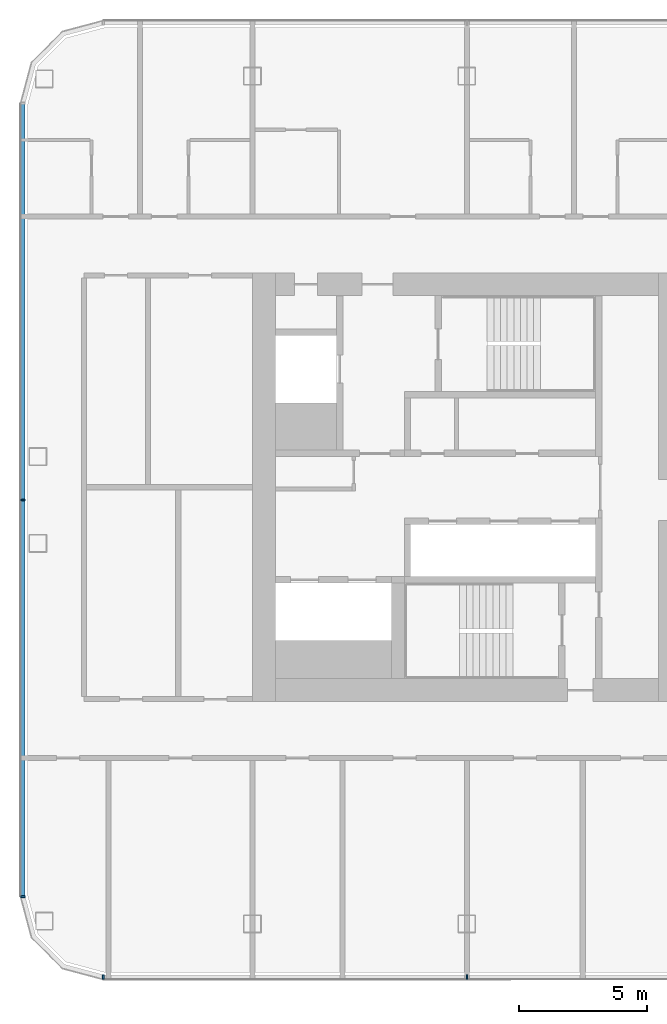
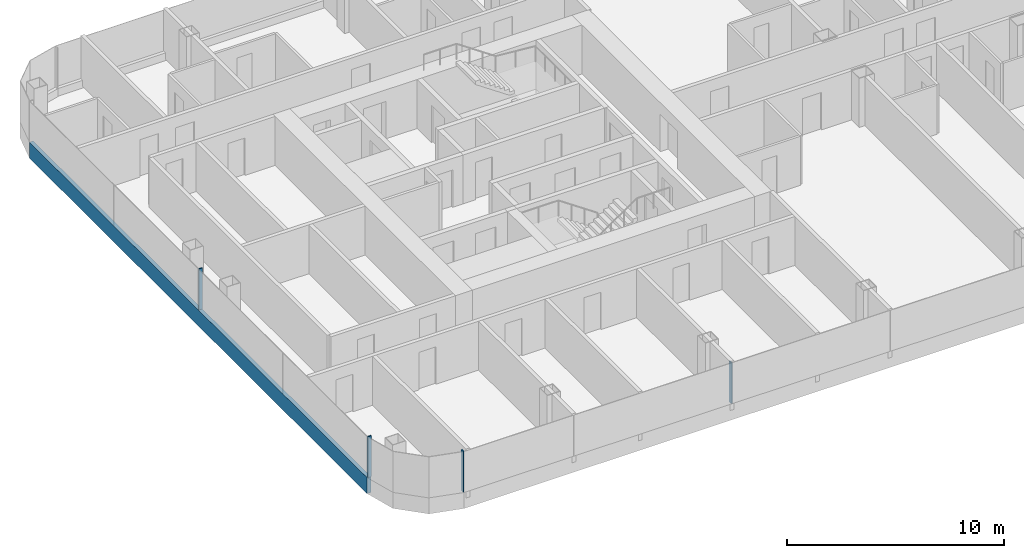
# One storey, part 2 of 26: 5 members, 2 elements without a shape of their own.
"""IFC4 building model written with IfcOpenShell, lengths in metres."""

from ifc_helpers import new_model, si_unit, direction, frame, origin, origin_2d, place, context, subcontext, project, spatial, rectangle, extrude, material, layer, layer_set, material_profile, profile_set, type_object, element, aggregate, save


model = new_model("IFC4")

# Units and contexts
model_context = context("Model", 3, precision=1e-05, world=origin(), true_north=direction((0.0, 1.0)))
body_context = subcontext(model_context, "Body", "Model", "MODEL_VIEW")
ifc_project = project(units=[si_unit("LENGTHUNIT", "METRE"), si_unit("AREAUNIT", "SQUARE_METRE"), si_unit("VOLUMEUNIT", "CUBIC_METRE"), si_unit("PLANEANGLEUNIT", "RADIAN"), si_unit("MASSUNIT", "GRAM", prefix="KILO")], contexts=[model_context])

# Site, building, storey
site_placement = place(None, origin())
site = spatial("IfcSite", under=ifc_project, at=site_placement, CompositionType="ELEMENT")
building_placement = place(site_placement, origin())
building = spatial("IfcBuilding", under=site, at=building_placement, Name="Hakoniwa Tower and Hamabe Station Hall", CompositionType="ELEMENT")
storey_placement = place(building_placement, frame((0.0, 0.0, 169.39990234375)))
storey = spatial("IfcBuildingStorey", under=building, at=storey_placement, Name="L48", CompositionType="ELEMENT", Elevation=169.39990234375)

# Curtain wall, members
ifc_material_1 = material(Name="Dark low-e laminated glass", Category="glass")
ifc_layer = layer(ifc_material_1, 0.199951171875)
ifc_layer_set = layer_set([ifc_layer], Name="CW-1 UNITISED GUEST")
curtain_wall_type = type_object("IfcCurtainWallType", Name="CW-1 UNITISED GUEST", PredefinedType="NOTDEFINED", material=ifc_layer_set)
curtain_wall_1_placement = place(storey_placement, origin())
curtain_wall_1 = element("IfcCurtainWall", 1, at=curtain_wall_1_placement, inside=storey, type_object=curtain_wall_type, Name="CW-1 curtain wall", PredefinedType="NOTDEFINED")
ifc_material_2 = material(Name="Aluminium 6063-T5 black anodised", Category="aluminium")
ifc_material_profile_1 = material_profile(ifc_material_2, rectangle(XDim=0.199951171875, YDim=0.89990234375, at=origin_2d()), Name="CW SLAB-EDGE BAND 900X200")
ifc_profile_set_1 = profile_set([ifc_material_profile_1], Name="Aluminium 6063-T5 black anodised")
member_type_1 = type_object("IfcMemberType", Name="CW SLAB-EDGE BAND 900X200", PredefinedType="USERDEFINED", material=ifc_profile_set_1)
member_1_placement = place(storey_placement, frame((-42.60009765625, 15.03955078125, -0.099853515625), z_axis=(0.0, -1.0, 0.0), x_axis=(1.0, 0.0, 0.0)))
member_1 = element("IfcMember", 2, at=member_1_placement, type_object=member_type_1, Name="CW-1 transom", ObjectType="TRANSOM", PredefinedType="USERDEFINED", context=body_context, shape_type="SweptSolid", body=[
    extrude(rectangle(XDim=0.199951171875, YDim=0.89990234375, at=origin_2d()), origin(), (0.0, 0.0, 1.0), 31.0791015625),
])
ifc_material_3 = material(Name="Aluminium 6063-T5 black anodised", Category="aluminium")
ifc_material_profile_2 = material_profile(ifc_material_3, rectangle(XDim=0.06005859375, YDim=0.179931640625, at=origin_2d()), Name="CW-1 MULLION 60X180")
ifc_profile_set_2 = profile_set([ifc_material_profile_2], Name="Aluminium 6063-T5 black anodised")
member_type_2 = type_object("IfcMemberType", Name="CW-1 MULLION 60X180", PredefinedType="MULLION", material=ifc_profile_set_2)
member_2_placement = place(storey_placement, frame((-42.58203125, -0.5, 0.35009765625), z_axis=(0.0, 0.0, 1.0), x_axis=(0.0, -1.0, 0.0)))
member_2 = element("IfcMember", 3, at=member_2_placement, type_object=member_type_2, Name="CW-1 mullion", PredefinedType="MULLION", context=body_context, shape_type="SweptSolid", body=[
    extrude(rectangle(XDim=0.06005859375, YDim=0.179931640625, at=origin_2d()), origin(), (0.0, 0.0, 1.0), 2.300048828125),
])
member_3_placement = place(storey_placement, frame((-42.58203125, -16.03955078125, 0.35009765625), z_axis=(0.0, 0.0, 1.0), x_axis=(0.0, -1.0, 0.0)))
member_3 = element("IfcMember", 4, at=member_3_placement, type_object=member_type_2, Name="CW-1 mullion", PredefinedType="MULLION", context=body_context, shape_type="SweptSolid", body=[
    extrude(rectangle(XDim=0.06005859375, YDim=0.179931640625, at=origin_2d()), origin(), (0.0, 0.0, 1.0), 2.300048828125),
])
aggregate(curtain_wall_1, [member_2, member_3, member_1])

curtain_wall_2_placement = place(storey_placement, origin())
curtain_wall_2 = element("IfcCurtainWall", 5, at=curtain_wall_2_placement, inside=storey, type_object=curtain_wall_type, Name="CW-1 curtain wall", PredefinedType="NOTDEFINED")
member_4_placement = place(storey_placement, frame((-39.439453125, -19.181884765625, 0.35009765625), z_axis=(0.0, 0.0, 1.0), x_axis=(1.0, 0.0, 0.0)))
member_4 = element("IfcMember", 6, at=member_4_placement, type_object=member_type_2, Name="CW-1 mullion", PredefinedType="MULLION", context=body_context, shape_type="SweptSolid", body=[
    extrude(rectangle(XDim=0.06005859375, YDim=0.179931640625, at=origin_2d()), origin(), (0.0, 0.0, 1.0), 2.300048828125),
])
member_5_placement = place(storey_placement, frame((-25.199951171875, -19.181884765625, 0.35009765625), z_axis=(0.0, 0.0, 1.0), x_axis=(1.0, 0.0, 0.0)))
member_5 = element("IfcMember", 7, at=member_5_placement, type_object=member_type_2, Name="CW-1 mullion", PredefinedType="MULLION", context=body_context, shape_type="SweptSolid", body=[
    extrude(rectangle(XDim=0.06005859375, YDim=0.179931640625, at=origin_2d()), origin(), (0.0, 0.0, 1.0), 2.300048828125),
])
aggregate(curtain_wall_2, [member_4, member_5])

save(model, "model.ifc")
